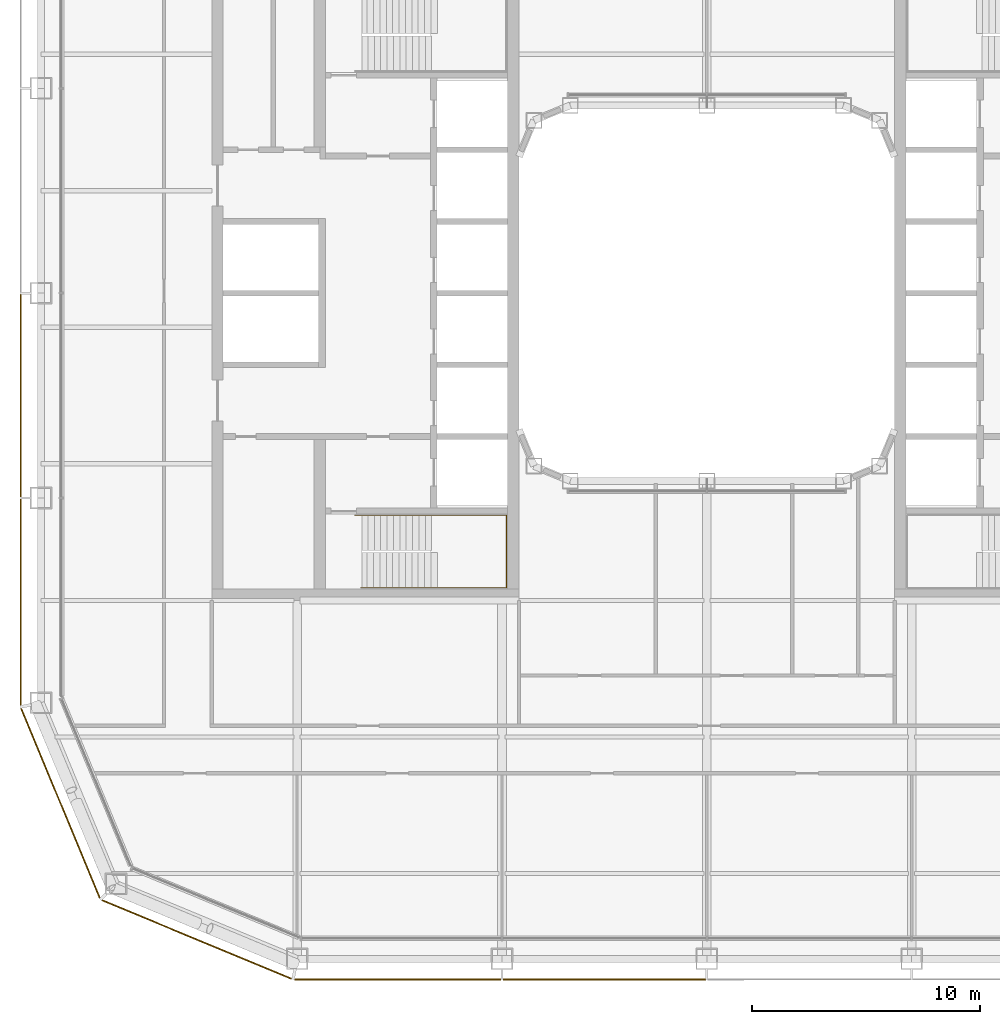
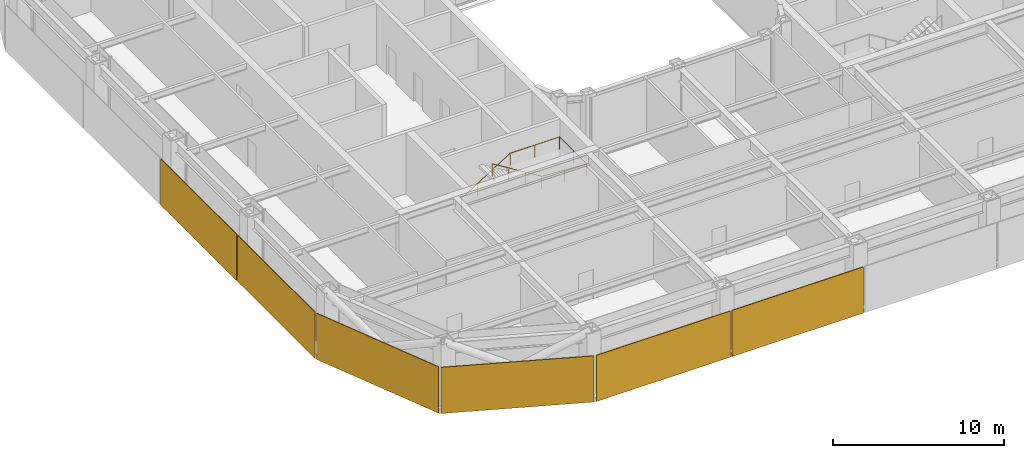
# One storey, part 18 of 23: 6 coverings, 1 railing.
"""IFC4 building model written with IfcOpenShell, lengths in metres."""

from ifc_helpers import new_model, si_unit, direction, frame, origin, origin_2d, place, context, subcontext, project, spatial, rectangle, circle, extrude, material, layer, layer_set, type_object, element, save


model = new_model("IFC4")

# Units and contexts
model_context = context("Model", 3, precision=1e-05, world=origin(), true_north=direction((0.0, 1.0)))
body_context = subcontext(model_context, "Body", "Model", "MODEL_VIEW")
ifc_project = project(units=[si_unit("LENGTHUNIT", "METRE"), si_unit("AREAUNIT", "SQUARE_METRE"), si_unit("VOLUMEUNIT", "CUBIC_METRE"), si_unit("PLANEANGLEUNIT", "RADIAN"), si_unit("MASSUNIT", "GRAM", prefix="KILO")], contexts=[model_context])

# Site, building, storey
site_placement = place(None, origin())
site = spatial("IfcSite", under=ifc_project, at=site_placement, CompositionType="ELEMENT")
building_placement = place(site_placement, origin())
building = spatial("IfcBuilding", under=site, at=building_placement, Name="Siwar Civic Tower", CompositionType="ELEMENT")
storey_placement = place(building_placement, frame((0.0, 0.0, 131.699951171875)))
storey = spatial("IfcBuildingStorey", under=building, at=storey_placement, Name="L28", CompositionType="ELEMENT", Elevation=131.699951171875)

# Railing
ifc_material_1 = material(Name="Stainless steel", Category="steel")
railing_type = type_object("IfcRailingType", Name="CORE-STAIR-HANDRAIL", PredefinedType="HANDRAIL", material=ifc_material_1)
railing_placement = place(storey_placement, frame((-15.449951171875, -9.758056640625, 0.173095703125)))
element("IfcRailing", 1, at=railing_placement, inside=storey, type_object=railing_type, Name="Stair handrail ST2", PredefinedType="HANDRAIL", context=body_context, shape_type="SweptSolid", body=[
    extrude(circle(Radius=0.02001953125, at=origin_2d()), frame((0.0, 0.0, 0.8798828125), z_axis=(0.847063342986, 0.0, 0.531491950051), x_axis=(0.0, 1.0, 0.0)), (0.0, 0.0, 1.0), 3.90771484375),
    extrude(circle(Radius=0.02001953125, at=origin_2d()), frame((3.31005859375, 0.0, 2.956787109375), z_axis=(1.0, 0.0, 0.0), x_axis=(0.0, 1.0, 0.0)), (0.0, 0.0, 1.0), 3.331787109375),
    extrude(circle(Radius=0.02001953125, at=origin_2d()), frame((6.641845703125, 0.0, 2.956787109375), z_axis=(0.0, -1.0, 0.0), x_axis=(1.0, 0.0, 0.0)), (0.0, 0.0, 1.0), 3.183837890625),
    extrude(circle(Radius=0.02001953125, at=origin_2d()), frame((6.641845703125, -3.183837890625, 2.956787109375), z_axis=(-0.99837434197, 0.0, 0.056997134106), x_axis=(0.0, -1.0, 0.0)), (0.0, 0.0, 1.0), 3.036865234375),
    extrude(circle(Radius=0.02001953125, at=origin_2d()), frame((3.60986328125, -3.183837890625, 3.1298828125), z_axis=(-0.850606129759, 0.0, 0.525803396734), x_axis=(0.0, -1.0, 0.0)), (0.0, 0.0, 1.0), 3.949951171875),
    extrude(circle(Radius=0.02001953125, at=origin_2d()), origin(), (0.0, 0.0, 1.0), 0.85986328125),
    extrude(circle(Radius=0.02001953125, at=origin_2d()), frame((1.103271484375, 0.0, 0.6923828125)), (0.0, 0.0, 1.0), 0.85986328125),
    extrude(circle(Radius=0.02001953125, at=origin_2d()), frame((2.206787109375, 0.0, 1.384521484375)), (0.0, 0.0, 1.0), 0.85986328125),
    extrude(circle(Radius=0.02001953125, at=origin_2d()), frame((3.31005859375, 0.0, 2.076904296875)), (0.0, 0.0, 1.0), 0.85986328125),
    extrude(circle(Radius=0.02001953125, at=origin_2d()), frame((4.97607421875, 0.0, 2.076904296875)), (0.0, 0.0, 1.0), 0.85986328125),
    extrude(circle(Radius=0.02001953125, at=origin_2d()), frame((6.641845703125, 0.0, 2.076904296875)), (0.0, 0.0, 1.0), 0.85986328125),
    extrude(circle(Radius=0.02001953125, at=origin_2d()), frame((6.641845703125, -1.591796875, 2.076904296875)), (0.0, 0.0, 1.0), 0.85986328125),
    extrude(circle(Radius=0.02001953125, at=origin_2d()), frame((6.641845703125, -3.183837890625, 2.076904296875)), (0.0, 0.0, 1.0), 0.85986328125),
    extrude(circle(Radius=0.02001953125, at=origin_2d()), frame((5.1259765625, -3.183837890625, 2.16357421875)), (0.0, 0.0, 1.0), 0.85986328125),
    extrude(circle(Radius=0.02001953125, at=origin_2d()), frame((3.60986328125, -3.183837890625, 2.25)), (0.0, 0.0, 1.0), 0.85986328125),
    extrude(circle(Radius=0.02001953125, at=origin_2d()), frame((2.489990234375, -3.183837890625, 2.9423828125)), (0.0, 0.0, 1.0), 0.85986328125),
    extrude(circle(Radius=0.02001953125, at=origin_2d()), frame((1.369873046875, -3.183837890625, 3.634521484375)), (0.0, 0.0, 1.0), 0.85986328125),
    extrude(circle(Radius=0.02001953125, at=origin_2d()), frame((0.25, -3.183837890625, 4.326904296875)), (0.0, 0.0, 1.0), 0.85986328125),
])

# Coverings
ifc_material_2 = material(Name="Perforated aluminium cassette, pale metal", Category="aluminium")
ifc_layer_1 = layer(ifc_material_2, 0.050048828125)
ifc_layer_set_1 = layer_set([ifc_layer_1], Name="Perforated aluminium cassette, pale metal")
covering_type_1 = type_object("IfcCoveringType", Name="ENV-OUTER SKIN OS-3", PredefinedType="CLADDING", material=ifc_layer_set_1)
covering_1_placement = place(storey_placement, frame((-30.14990234375, -4.5, -0.14990234375), z_axis=(0.0, 0.0, 1.0), x_axis=(0.0, -1.0, 0.0)))
element("IfcCovering", 2, at=covering_1_placement, inside=storey, type_object=covering_type_1, Name="OUTER SKIN OS-3 W 3", PredefinedType="CLADDING", context=body_context, shape_type="SweptSolid", body=[
    extrude(rectangle(XDim=8.89990234375, YDim=0.050048828125, at=origin_2d()), origin(), (0.0, 0.0, 1.0), 3.300048828125),
])
covering_2_placement = place(storey_placement, frame((-30.14990234375, -13.57958984375, -0.14990234375), z_axis=(0.0, 0.0, 1.0), x_axis=(0.0, -1.0, 0.0)))
element("IfcCovering", 3, at=covering_2_placement, inside=storey, type_object=covering_type_1, Name="OUTER SKIN OS-3 W 4", PredefinedType="CLADDING", context=body_context, shape_type="SweptSolid", body=[
    extrude(rectangle(XDim=9.05908203125, YDim=0.050048828125, at=origin_2d()), origin(), (0.0, 0.0, 1.0), 3.300048828125),
])
ifc_material_3 = material(Name="Perforated aluminium cassette, pale metal", Category="aluminium")
ifc_layer_2 = layer(ifc_material_3, 0.054931640625)
ifc_layer_set_2 = layer_set([ifc_layer_2], Name="Perforated aluminium cassette, pale metal")
covering_type_2 = type_object("IfcCoveringType", Name="ENV-OUTER SKIN OS-4", PredefinedType="CLADDING", material=ifc_layer_set_2)
covering_3_placement = place(storey_placement, frame((-13.57958984375, -30.14990234375, -0.14990234375), z_axis=(0.0, 0.0, 1.0), x_axis=(1.0, 0.0, 0.0)))
element("IfcCovering", 4, at=covering_3_placement, inside=storey, type_object=covering_type_2, Name="OUTER SKIN OS-4 S 1", PredefinedType="CLADDING", context=body_context, shape_type="SweptSolid", body=[
    extrude(rectangle(XDim=9.05908203125, YDim=0.054931640625, at=origin_2d()), origin(), (0.0, 0.0, 1.0), 3.300048828125),
])
covering_4_placement = place(storey_placement, frame((-4.5, -30.14990234375, -0.14990234375), z_axis=(0.0, 0.0, 1.0), x_axis=(1.0, 0.0, 0.0)))
element("IfcCovering", 5, at=covering_4_placement, inside=storey, type_object=covering_type_2, Name="OUTER SKIN OS-4 S 2", PredefinedType="CLADDING", context=body_context, shape_type="SweptSolid", body=[
    extrude(rectangle(XDim=8.89990234375, YDim=0.054931640625, at=origin_2d()), origin(), (0.0, 0.0, 1.0), 3.300048828125),
])
for number, where, z_axis, x_axis, name in (
    (6, (-28.39697265625, -22.411376953125, -0.14990234375), (0.0, 0.0, 1.0), (0.382683432365, -0.923879532511, 0.0), "OUTER SKIN OS-4 SW1 1"),
    (7, (-22.411376953125, -28.39697265625, -0.14990234375), (0.0, 0.0, 1.0), (0.923879532511, -0.382683432365, 0.0), "OUTER SKIN OS-4 SW2 1"),
):
    element("IfcCovering", number, at=place(storey_placement, frame(where, z_axis=z_axis, x_axis=x_axis)), inside=storey, type_object=covering_type_2, Name=name, PredefinedType="CLADDING", context=body_context, shape_type="SweptSolid", body=[
        extrude(rectangle(XDim=9.022216796875, YDim=0.054931640625, at=origin_2d()), origin(), (0.0, 0.0, 1.0), 3.300048828125),
    ])

save(model, "model.ifc")
